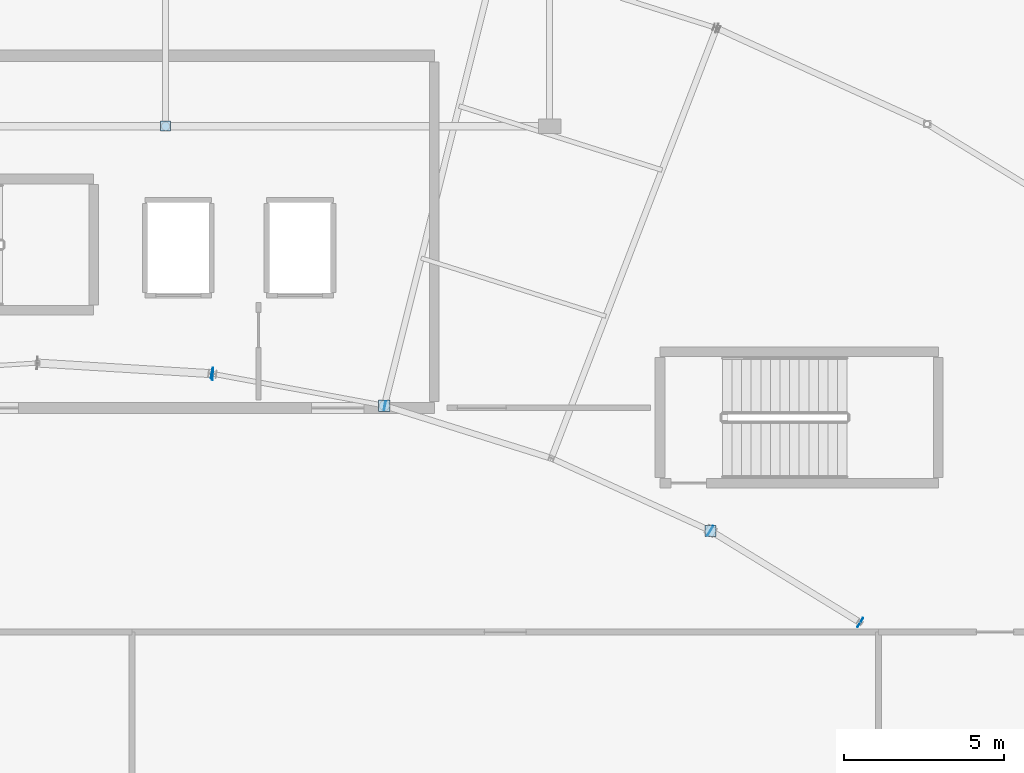
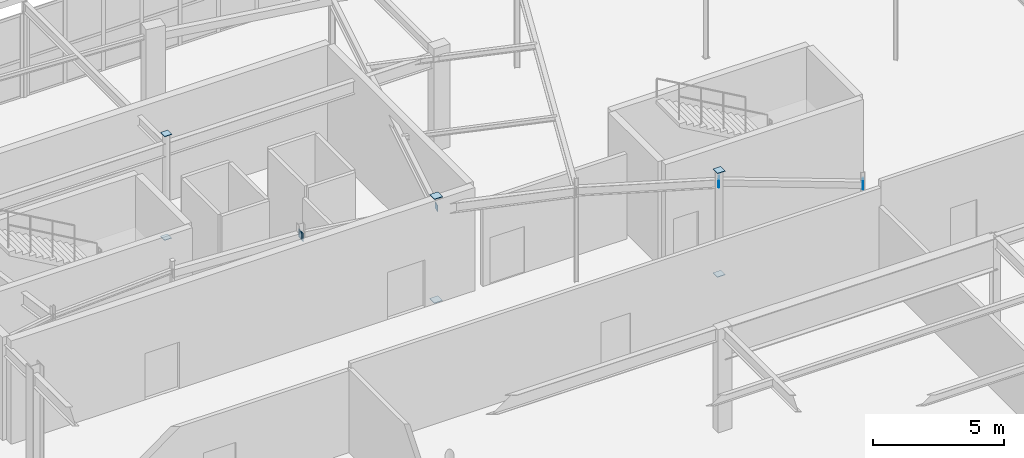
# One storey, part 143 of 186: 11 plates.
"""IFC4 building model written with IfcOpenShell, lengths in metres."""

from ifc_helpers import new_model, si_unit, direction, frame, origin, origin_2d, place, context, subcontext, project, spatial, rectangle, extrude, material, layer, layer_set, type_object, element, save


model = new_model("IFC4")

# Units and contexts
model_context = context("Model", 3, precision=1e-05, world=origin(), true_north=direction((0.0, 1.0)))
body_context = subcontext(model_context, "Body", "Model", "MODEL_VIEW")
ifc_project = project(units=[si_unit("LENGTHUNIT", "METRE"), si_unit("AREAUNIT", "SQUARE_METRE"), si_unit("VOLUMEUNIT", "CUBIC_METRE"), si_unit("PLANEANGLEUNIT", "RADIAN"), si_unit("MASSUNIT", "GRAM", prefix="KILO")], contexts=[model_context])

# Site, building, storey
site_placement = place(None, origin())
site = spatial("IfcSite", under=ifc_project, at=site_placement, CompositionType="ELEMENT")
building_placement = place(site_placement, origin())
building = spatial("IfcBuilding", under=site, at=building_placement, Name="Tarnwether General Hospital", CompositionType="ELEMENT")
storey_placement = place(building_placement, frame((0.0, 0.0, 9.60009765625)))
storey = spatial("IfcBuildingStorey", under=building, at=storey_placement, Name="L02", CompositionType="ELEMENT", Elevation=9.60009765625)

# Plates
ifc_material = material(Name="Steel Grade 350 (350 MPa)", Category="steel")
ifc_layer = layer(ifc_material, 0.02490234375)
ifc_layer_set = layer_set([ifc_layer], Name="Steel Grade 350 (350 MPa)")
plate_type = type_object("IfcPlateType", Name="PT-GUS2", PredefinedType="USERDEFINED", material=ifc_layer_set)
for number, where, z_axis, x_axis, name in (
    (1, (96.0, 115.199951171875, -0.025146484375), (0.0, 0.0, 1.0), (1.0, 0.0, 0.0), "Hollow Section Welded End Cap Plate 0179"),
    (2, (96.0, 115.199951171875, 4.800048828125), (0.0, 0.0, 1.0), (1.0, 0.0, 0.0), "Hollow Section Welded End Cap Plate 0180"),
):
    element("IfcPlate", number, at=place(storey_placement, frame(where, z_axis=z_axis, x_axis=x_axis)), inside=storey, type_object=plate_type, Name=name, ObjectType="GUSSET", PredefinedType="USERDEFINED", context=body_context, shape_type="SweptSolid", body=[
        extrude(rectangle(XDim=0.31298828125, YDim=0.31298828125, at=origin_2d()), origin(), (0.0, 0.0, 1.0), 0.02490234375),
    ])
for number, where, z_axis, x_axis, name in (
    (3, (102.837890625, 106.468994140625, -0.025146484375), (0.0, 0.0, 1.0), (1.0, 0.0, 0.0), "Hollow Section Welded End Cap Plate 0559"),
    (4, (102.837890625, 106.468994140625, 4.800048828125), (0.0, 0.0, 1.0), (1.0, 0.0, 0.0), "Hollow Section Welded End Cap Plate 0560"),
):
    element("IfcPlate", number, at=place(storey_placement, frame(where, z_axis=z_axis, x_axis=x_axis)), inside=storey, type_object=plate_type, Name=name, ObjectType="GUSSET", PredefinedType="USERDEFINED", context=body_context, shape_type="SweptSolid", body=[
        extrude(rectangle(XDim=0.364013671875, YDim=0.364013671875, at=origin_2d()), origin(), (0.0, 0.0, 1.0), 0.02490234375),
    ])
for number, where, z_axis, x_axis, name in (
    (5, (113.031982421875, 102.555908203125, -0.025146484375), (0.0, 0.0, 1.0), (1.0, 0.0, 0.0), "Hollow Section Welded End Cap Plate 0591"),
    (6, (113.031982421875, 102.555908203125, 4.800048828125), (0.0, 0.0, 1.0), (1.0, 0.0, 0.0), "Hollow Section Welded End Cap Plate 0592"),
):
    element("IfcPlate", number, at=place(storey_placement, frame(where, z_axis=z_axis, x_axis=x_axis)), inside=storey, type_object=plate_type, Name=name, ObjectType="GUSSET", PredefinedType="USERDEFINED", context=body_context, shape_type="SweptSolid", body=[
        extrude(rectangle(XDim=0.340087890625, YDim=0.340087890625, at=origin_2d()), origin(), (0.0, 0.0, 1.0), 0.02490234375),
    ])
plate_placement = place(storey_placement, frame((97.472412109375, 107.465087890625, 4.06005859375), z_axis=(0.0, 0.0, 1.0), x_axis=(0.998133732772, -0.061065960264, 0.0)))
element("IfcPlate", 7, at=plate_placement, inside=storey, type_object=plate_type, Name="Hollow Section Welded End Cap Plate 0996", ObjectType="GUSSET", PredefinedType="USERDEFINED", context=body_context, shape_type="SweptSolid", body=[
    extrude(rectangle(XDim=0.02490234375, YDim=0.389892578125, at=origin_2d()), origin(), (0.0, 0.0, 1.0), 0.389892578125),
])
for number, where, z_axis, x_axis, name in (
    (8, (97.44775390625, 107.46826171875, 4.159912109375), (0.0, 0.0, 1.0), (0.983245364386, -0.182287008349, 0.0), "Hollow Section Welded End Cap Plate 0999"),
    (9, (102.850341796875, 106.466796875, 4.159912109375), (0.0, 0.0, 1.0), (0.983245364386, -0.182287008349, 0.0), "Hollow Section Welded End Cap Plate 1000"),
):
    element("IfcPlate", number, at=place(storey_placement, frame(where, z_axis=z_axis, x_axis=x_axis)), inside=storey, type_object=plate_type, Name=name, ObjectType="GUSSET", PredefinedType="USERDEFINED", context=body_context, shape_type="SweptSolid", body=[
        extrude(rectangle(XDim=0.02490234375, YDim=0.2900390625, at=origin_2d()), origin(), (0.0, 0.0, 1.0), 0.2900390625),
    ])
for number, where, z_axis, x_axis, name in (
    (10, (113.021240234375, 102.5625, 4.10986328125), (0.0, 0.0, 1.0), (0.852649283545, -0.522483683258, 0.0), "Hollow Section Welded End Cap Plate 1003"),
    (11, (117.706787109375, 99.69140625, 4.10986328125), (0.0, 0.0, 1.0), (0.852649283545, -0.522483683258, 0.0), "Hollow Section Welded End Cap Plate 1004"),
):
    element("IfcPlate", number, at=place(storey_placement, frame(where, z_axis=z_axis, x_axis=x_axis)), inside=storey, type_object=plate_type, Name=name, ObjectType="GUSSET", PredefinedType="USERDEFINED", context=body_context, shape_type="SweptSolid", body=[
        extrude(rectangle(XDim=0.02490234375, YDim=0.340087890625, at=origin_2d()), origin(), (0.0, 0.0, 1.0), 0.340087890625),
    ])

save(model, "model.ifc")
